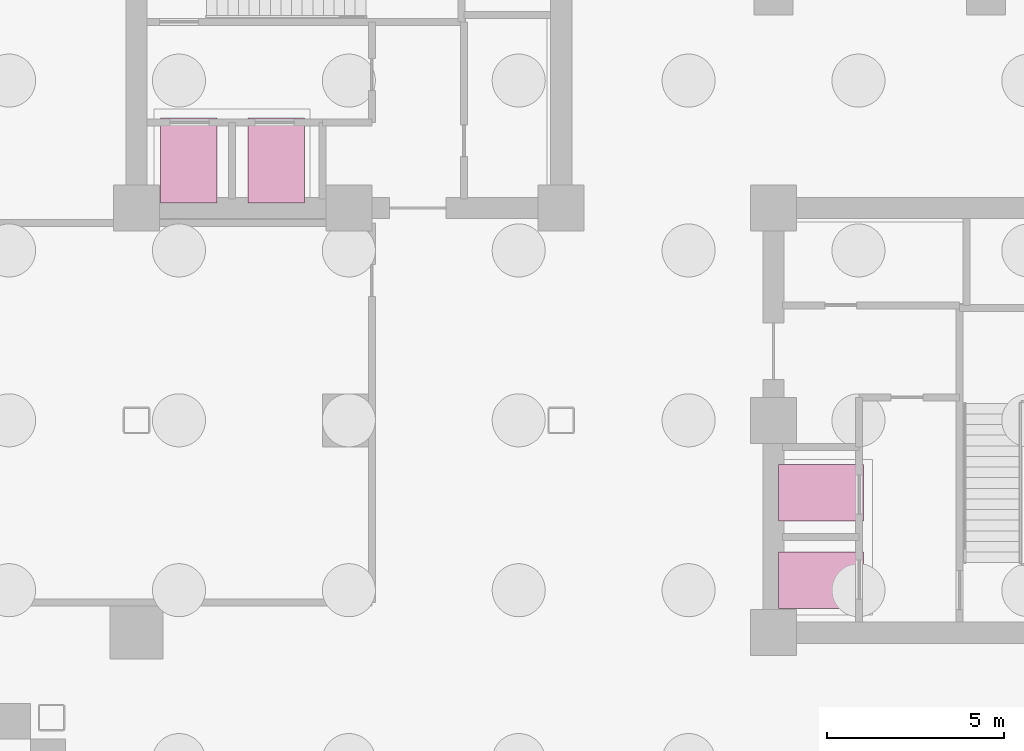
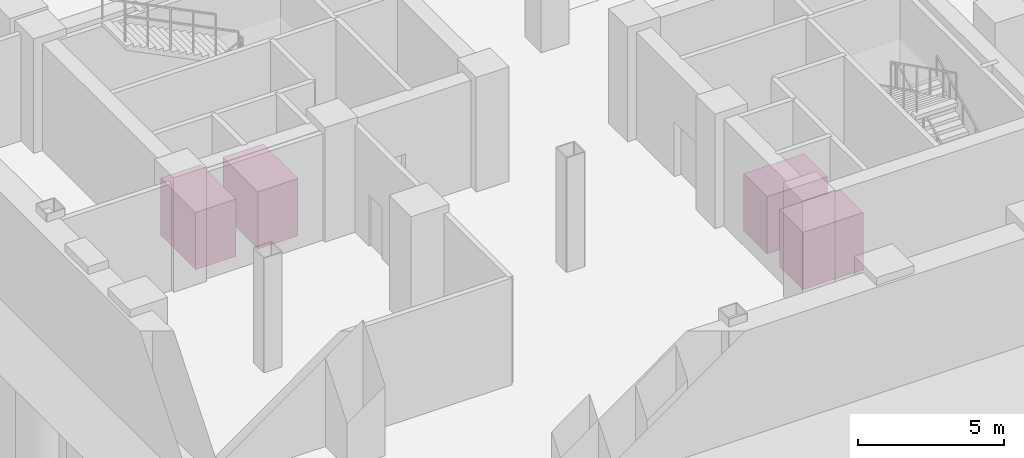
# One storey, part 7 of 7: 4 transport elements.
"""IFC4 building model written with IfcOpenShell, lengths in metres."""

from ifc_helpers import new_model, si_unit, direction, frame, origin, origin_2d, place, context, subcontext, project, spatial, rectangle, extrude, material, type_object, element, save


model = new_model("IFC4")

# Units and contexts
model_context = context("Model", 3, precision=1e-05, world=origin(), true_north=direction((0.0, 1.0)))
body_context = subcontext(model_context, "Body", "Model", "MODEL_VIEW")
ifc_project = project(units=[si_unit("LENGTHUNIT", "METRE"), si_unit("AREAUNIT", "SQUARE_METRE"), si_unit("VOLUMEUNIT", "CUBIC_METRE"), si_unit("PLANEANGLEUNIT", "RADIAN"), si_unit("MASSUNIT", "GRAM", prefix="KILO"), si_unit("THERMODYNAMICTEMPERATUREUNIT", "KELVIN"), si_unit("POWERUNIT", "WATT")], contexts=[model_context])

# Site, building, storey
site_placement = place(None, origin())
site = spatial("IfcSite", under=ifc_project, at=site_placement, CompositionType="ELEMENT")
building_placement = place(site_placement, origin())
building = spatial("IfcBuilding", under=site, at=building_placement, Name="Svarakhadi Broadcast Tower", CompositionType="ELEMENT")
storey_placement = place(building_placement, frame((0.0, 0.0, -9.60009765625)))
storey = spatial("IfcBuildingStorey", under=building, at=storey_placement, Name="B02", CompositionType="ELEMENT", Elevation=-9.60009765625)

# Transport elements
ifc_material = material(Name="Brushed Bronze Stainless Steel", Category="steel")
transport_element_type_1 = type_object("IfcTransportElementType", Name="Lift_Type_LF01", PredefinedType="ELEVATOR", material=ifc_material)
transport_element_1_placement = place(storey_placement, frame((7.47998046875, 19.340087890625, 0.000244140625), z_axis=(0.0, 0.0, 1.0), x_axis=(1.0, 0.0, 0.0)))
element("IfcTransportElement", 1, at=transport_element_1_placement, inside=storey, type_object=transport_element_type_1, Name="Firefighting and Stretcher Lifts Car LF-01", PredefinedType="ELEVATOR", context=body_context, shape_type="SweptSolid", body=[
    extrude(rectangle(XDim=1.60009765625, YDim=2.39990234375, at=origin_2d()), origin(), (0.0, 0.0, 1.0), 2.39990234375),
])
transport_element_type_2 = type_object("IfcTransportElementType", Name="Lift_Type_LF02", PredefinedType="ELEVATOR", material=ifc_material)
transport_element_2_placement = place(storey_placement, frame((9.949951171875, 19.340087890625, 0.000244140625), z_axis=(0.0, 0.0, 1.0), x_axis=(1.0, 0.0, 0.0)))
element("IfcTransportElement", 2, at=transport_element_2_placement, inside=storey, type_object=transport_element_type_2, Name="Firefighting and Stretcher Lifts Car LF-02", PredefinedType="ELEVATOR", context=body_context, shape_type="SweptSolid", body=[
    extrude(rectangle(XDim=1.60009765625, YDim=2.39990234375, at=origin_2d()), origin(), (0.0, 0.0, 1.0), 2.39990234375),
])
transport_element_type_3 = type_object("IfcTransportElementType", Name="Lift_Type_LF03", PredefinedType="ELEVATOR", material=ifc_material)
transport_element_3_placement = place(storey_placement, frame((25.340087890625, 7.47998046875, 0.000244140625), z_axis=(0.0, 0.0, 1.0), x_axis=(0.0, 1.0, 0.0)))
element("IfcTransportElement", 3, at=transport_element_3_placement, inside=storey, type_object=transport_element_type_3, Name="Firefighting and Stretcher Lifts Car LF-03", PredefinedType="ELEVATOR", context=body_context, shape_type="SweptSolid", body=[
    extrude(rectangle(XDim=1.60009765625, YDim=2.39990234375, at=origin_2d()), origin(), (0.0, 0.0, 1.0), 2.39990234375),
])
transport_element_type_4 = type_object("IfcTransportElementType", Name="Lift_Type_LF04", PredefinedType="ELEVATOR", material=ifc_material)
transport_element_4_placement = place(storey_placement, frame((25.340087890625, 9.949951171875, 0.000244140625), z_axis=(0.0, 0.0, 1.0), x_axis=(0.0, 1.0, 0.0)))
element("IfcTransportElement", 4, at=transport_element_4_placement, inside=storey, type_object=transport_element_type_4, Name="Firefighting and Stretcher Lifts Car LF-04", PredefinedType="ELEVATOR", context=body_context, shape_type="SweptSolid", body=[
    extrude(rectangle(XDim=1.60009765625, YDim=2.39990234375, at=origin_2d()), origin(), (0.0, 0.0, 1.0), 2.39990234375),
])

save(model, "model.ifc")
